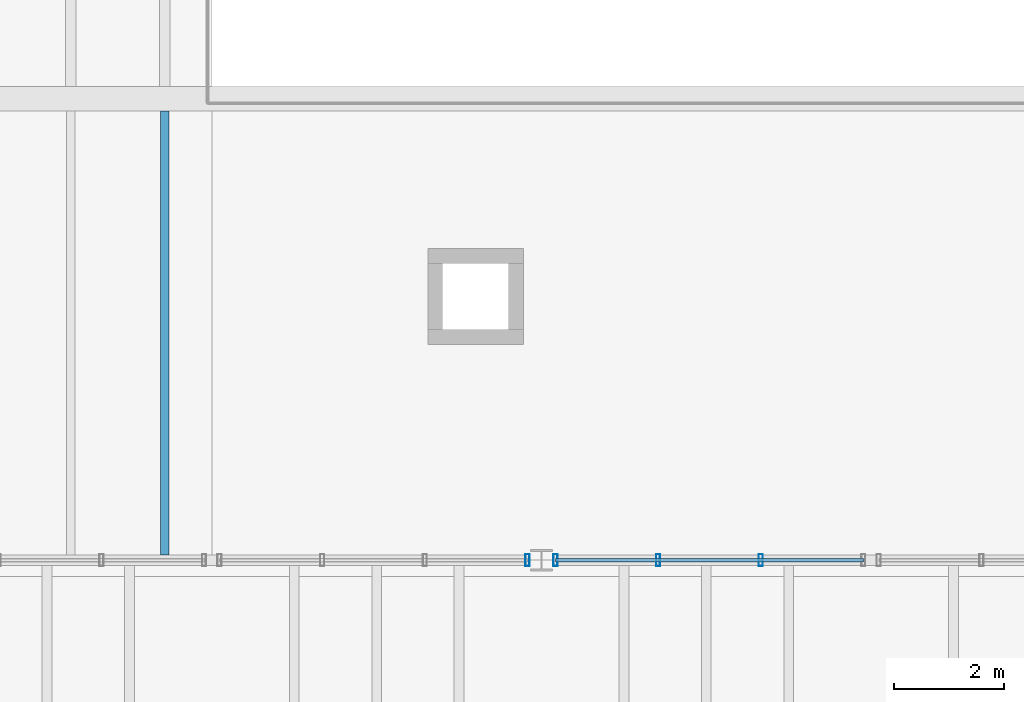
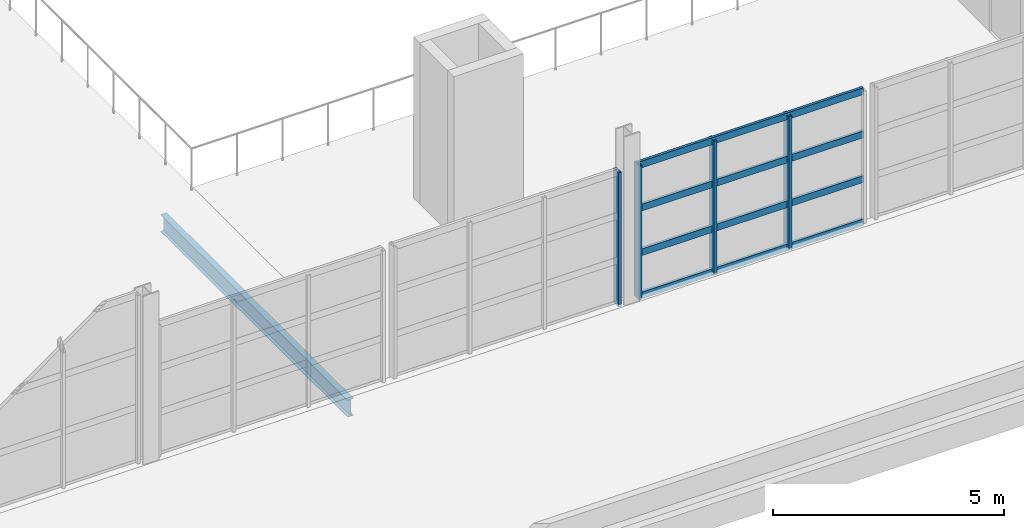
# One storey, part 31 of 114: 8 members, 1 beam, 2 elements without a shape of their own.
"""IFC4 building model written with IfcOpenShell, lengths in metres."""

from ifc_helpers import new_model, si_unit, direction, frame, origin, origin_2d, place, context, subcontext, project, spatial, hollow_rectangle, i_section, extrude, material, material_profile, profile_set, type_object, element, aggregate, save


model = new_model("IFC4")

# Units and contexts
model_context = context("Model", 3, precision=1e-05, world=origin(), true_north=direction((0.0, 1.0)))
body_context = subcontext(model_context, "Body", "Model", "MODEL_VIEW")
ifc_project = project(units=[si_unit("LENGTHUNIT", "METRE"), si_unit("AREAUNIT", "SQUARE_METRE"), si_unit("VOLUMEUNIT", "CUBIC_METRE"), si_unit("PLANEANGLEUNIT", "RADIAN"), si_unit("MASSUNIT", "GRAM", prefix="KILO")], contexts=[model_context])

# Site, building, storey
site_placement = place(None, origin())
site = spatial("IfcSite", under=ifc_project, at=site_placement, CompositionType="ELEMENT")
building_placement = place(site_placement, origin())
building = spatial("IfcBuilding", under=site, at=building_placement, Name="Kelmvaro Bay Concert Hall", CompositionType="ELEMENT")
storey_placement = place(building_placement, frame((0.0, 0.0, 4.800048828125)))
storey = spatial("IfcBuildingStorey", under=building, at=storey_placement, Name="L01", CompositionType="ELEMENT", Elevation=4.800048828125)

# Curtain wall, member
ifc_material_1 = material(Name="Anodised Aluminium and Low-E Insulated Glazing", Category="aluminium")
curtain_wall_type = type_object("IfcCurtainWallType", Name="Mezzanine Concourse Curtain Wall 4100", PredefinedType="USERDEFINED", material=ifc_material_1)
curtain_wall_1_placement = place(storey_placement, origin())
curtain_wall_1 = element("IfcCurtainWall", 1, at=curtain_wall_1_placement, inside=storey, type_object=curtain_wall_type, Name="Unitised Curtain Wall CW-L01-058", ObjectType="UNITISED GLAZING", PredefinedType="USERDEFINED")
ifc_material_2 = material(Name="Anodised Extruded Aluminium 6063-T6", Category="aluminium")
ifc_material_profile_1 = material_profile(ifc_material_2, hollow_rectangle(XDim=0.074951171875, YDim=0.219970703125, WallThickness=0.00439453125, at=origin_2d()), Name="ALU-MUL-220X75")
ifc_profile_set_1 = profile_set([ifc_material_profile_1], Name="Anodised Extruded Aluminium 6063-T6")
member_type_1 = type_object("IfcMemberType", Name="Curtain Mullion Heavy ALU 220x75", PredefinedType="MULLION", material=ifc_profile_set_1)
member_1_placement = place(storey_placement, frame((71.74560546875, 7.199951171875, 0.0), z_axis=(0.0, 0.0, 1.0), x_axis=(1.0, 0.0, 0.0)))
member_1 = element("IfcMember", 2, at=member_1_placement, type_object=member_type_1, Name="CW-L01-058 Mullion 01", PredefinedType="MULLION", context=body_context, shape_type="SweptSolid", body=[
    extrude(hollow_rectangle(XDim=0.074951171875, YDim=0.219970703125, WallThickness=0.00439453125, at=origin_2d()), origin(), (0.0, 0.0, 1.0), 3.536865234375),
])
aggregate(curtain_wall_1, [member_1])

# Curtain wall, members
curtain_wall_2_placement = place(storey_placement, origin())
curtain_wall_2 = element("IfcCurtainWall", 3, at=curtain_wall_2_placement, inside=storey, type_object=curtain_wall_type, Name="Unitised Curtain Wall CW-L01-059", ObjectType="UNITISED GLAZING", PredefinedType="USERDEFINED")
member_2_placement = place(storey_placement, frame((75.991455078125, 7.199951171875, 0.0), z_axis=(0.0, 0.0, 1.0), x_axis=(1.0, 0.0, 0.0)))
member_2 = element("IfcMember", 4, at=member_2_placement, type_object=member_type_1, Name="CW-L01-059 Mullion 02", PredefinedType="MULLION", context=body_context, shape_type="SweptSolid", body=[
    extrude(hollow_rectangle(XDim=0.074951171875, YDim=0.219970703125, WallThickness=0.00439453125, at=origin_2d()), origin(), (0.0, 0.0, 1.0), 3.536865234375),
])
member_3_placement = place(storey_placement, frame((74.123046875, 7.199951171875, 0.0), z_axis=(0.0, 0.0, 1.0), x_axis=(1.0, 0.0, 0.0)))
member_3 = element("IfcMember", 5, at=member_3_placement, type_object=member_type_1, Name="CW-L01-059 Mullion 03", PredefinedType="MULLION", context=body_context, shape_type="SweptSolid", body=[
    extrude(hollow_rectangle(XDim=0.074951171875, YDim=0.219970703125, WallThickness=0.00439453125, at=origin_2d()), origin(), (0.0, 0.0, 1.0), 3.536865234375),
])
member_4_placement = place(storey_placement, frame((72.25439453125, 7.199951171875, 0.0), z_axis=(0.0, 0.0, 1.0), x_axis=(1.0, 0.0, 0.0)))
member_4 = element("IfcMember", 6, at=member_4_placement, type_object=member_type_1, Name="CW-L01-059 Mullion 04", PredefinedType="MULLION", context=body_context, shape_type="SweptSolid", body=[
    extrude(hollow_rectangle(XDim=0.074951171875, YDim=0.219970703125, WallThickness=0.00439453125, at=origin_2d()), origin(), (0.0, 0.0, 1.0), 3.536865234375),
])
ifc_material_3 = material(Name="Anodised Extruded Aluminium 6063-T6", Category="aluminium")
ifc_material_profile_2 = material_profile(ifc_material_3, hollow_rectangle(XDim=0.06494140625, YDim=0.179931640625, WallThickness=0.00439453125, at=origin_2d()), Name="ALU-TRN-180X65")
ifc_profile_set_2 = profile_set([ifc_material_profile_2], Name="Anodised Extruded Aluminium 6063-T6")
member_type_2 = type_object("IfcMemberType", Name="Curtain Transom Heavy ALU 180x65", PredefinedType="USERDEFINED", material=ifc_profile_set_2)
member_5_placement = place(storey_placement, frame((77.860107421875, 7.199951171875, 0.0400390625), z_axis=(-1.0, 0.0, 0.0), x_axis=(0.0, -1.0, 0.0)))
member_5 = element("IfcMember", 7, at=member_5_placement, type_object=member_type_2, Name="CW-L01-059 Transom 01", ObjectType="TRANSOM", PredefinedType="USERDEFINED", context=body_context, shape_type="SweptSolid", body=[
    extrude(hollow_rectangle(XDim=0.06494140625, YDim=0.179931640625, WallThickness=0.00439453125, at=origin_2d()), origin(), (0.0, 0.0, 1.0), 5.605712890625),
])
member_6_placement = place(storey_placement, frame((77.860107421875, 7.199951171875, 1.178955078125), z_axis=(-1.0, 0.0, 0.0), x_axis=(0.0, -1.0, 0.0)))
member_6 = element("IfcMember", 8, at=member_6_placement, type_object=member_type_2, Name="CW-L01-059 Transom 02", ObjectType="TRANSOM", PredefinedType="USERDEFINED", context=body_context, shape_type="SweptSolid", body=[
    extrude(hollow_rectangle(XDim=0.06494140625, YDim=0.179931640625, WallThickness=0.00439453125, at=origin_2d()), origin(), (0.0, 0.0, 1.0), 5.605712890625),
])
member_7_placement = place(storey_placement, frame((77.860107421875, 7.199951171875, 2.35791015625), z_axis=(-1.0, 0.0, 0.0), x_axis=(0.0, -1.0, 0.0)))
member_7 = element("IfcMember", 9, at=member_7_placement, type_object=member_type_2, Name="CW-L01-059 Transom 03", ObjectType="TRANSOM", PredefinedType="USERDEFINED", context=body_context, shape_type="SweptSolid", body=[
    extrude(hollow_rectangle(XDim=0.06494140625, YDim=0.179931640625, WallThickness=0.00439453125, at=origin_2d()), origin(), (0.0, 0.0, 1.0), 5.605712890625),
])
member_8_placement = place(storey_placement, frame((77.860107421875, 7.199951171875, 3.4970703125), z_axis=(-1.0, 0.0, 0.0), x_axis=(0.0, -1.0, 0.0)))
member_8 = element("IfcMember", 10, at=member_8_placement, type_object=member_type_2, Name="CW-L01-059 Transom 04", ObjectType="TRANSOM", PredefinedType="USERDEFINED", context=body_context, shape_type="SweptSolid", body=[
    extrude(hollow_rectangle(XDim=0.06494140625, YDim=0.179931640625, WallThickness=0.00439453125, at=origin_2d()), origin(), (0.0, 0.0, 1.0), 5.605712890625),
])
aggregate(curtain_wall_2, [member_2, member_3, member_4, member_5, member_6, member_7, member_8])

# Beam
ifc_material_4 = material(Name="Steel ASTM A992 Grade 50", Category="steel")
ifc_material_profile_3 = material_profile(ifc_material_4, i_section(OverallWidth=0.152099609375, OverallDepth=0.455078125, WebThickness=0.008056640625, FlangeThickness=0.01318359375, at=origin_2d()), Name="W18X40")
ifc_profile_set_3 = profile_set([ifc_material_profile_3], Name="Steel ASTM A992 Grade 50")
beam_type = type_object("IfcBeamType", Name="Foyer Concourse Floor Joist W18x40", PredefinedType="JOIST", material=ifc_profile_set_3)
beam_placement = place(storey_placement, frame((65.142822265625, 7.2958984375, -0.4775390625), z_axis=(0.0, 1.0, 0.0), x_axis=(-1.0, 0.0, 0.0)))
element("IfcBeam", 11, at=beam_placement, inside=storey, type_object=beam_type, Name="L01 Floor Joist JST-L01-0266", PredefinedType="JOIST", context=body_context, shape_type="SweptSolid", body=[
    extrude(i_section(OverallWidth=0.152099609375, OverallDepth=0.455078125, WebThickness=0.008056640625, FlangeThickness=0.01318359375, at=origin_2d()), origin(), (0.0, 0.0, 1.0), 8.0791015625),
])

save(model, "model.ifc")
